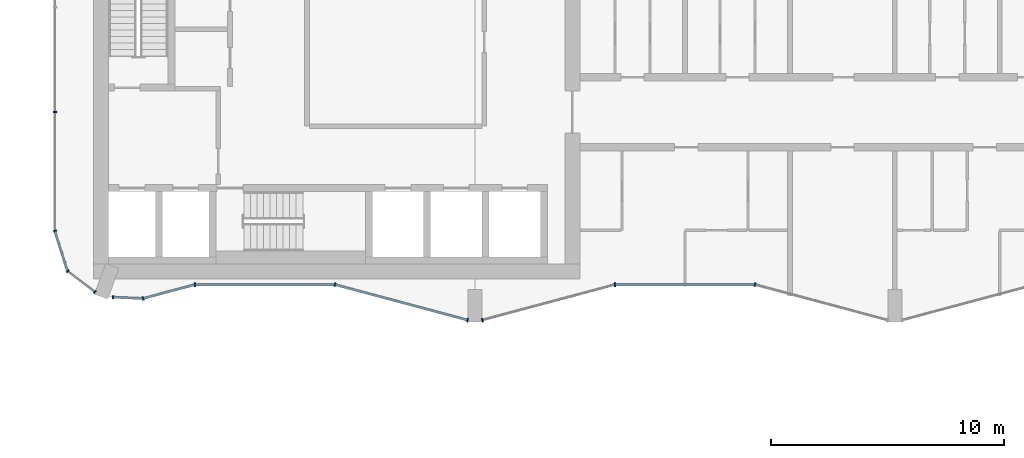
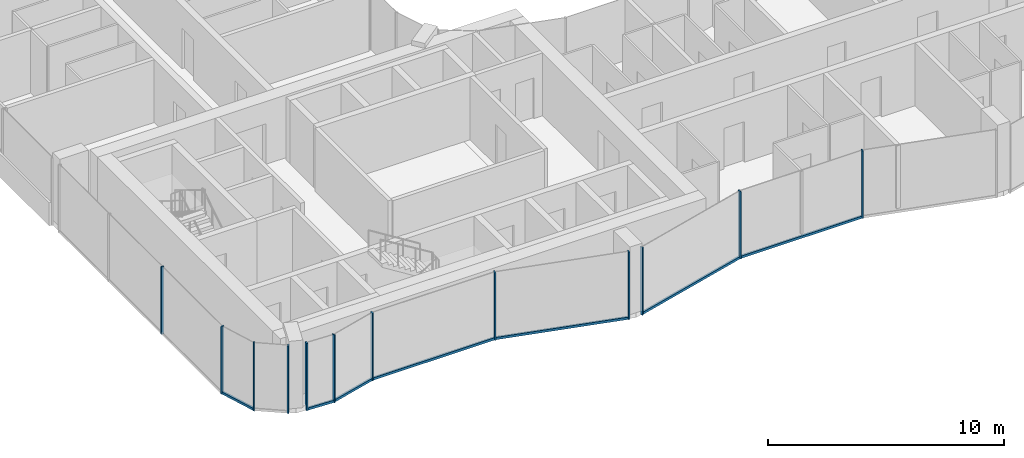
# One storey, part 2 of 22: 19 members, 10 elements without a shape of their own.
"""IFC4 building model written with IfcOpenShell, lengths in metres."""

from ifc_helpers import new_model, si_unit, direction, frame, origin, origin_2d, place, context, subcontext, project, spatial, rectangle, extrude, material, layer, layer_set, material_profile, profile_set, type_object, element, aggregate, save


model = new_model("IFC4")

# Units and contexts
model_context = context("Model", 3, precision=1e-05, world=origin(), true_north=direction((0.0, 1.0)))
body_context = subcontext(model_context, "Body", "Model", "MODEL_VIEW")
ifc_project = project(units=[si_unit("LENGTHUNIT", "METRE"), si_unit("AREAUNIT", "SQUARE_METRE"), si_unit("VOLUMEUNIT", "CUBIC_METRE"), si_unit("PLANEANGLEUNIT", "RADIAN"), si_unit("MASSUNIT", "GRAM", prefix="KILO")], contexts=[model_context])

# Site, building, storey
site_placement = place(None, origin())
site = spatial("IfcSite", under=ifc_project, at=site_placement, CompositionType="ELEMENT")
building_placement = place(site_placement, origin())
building = spatial("IfcBuilding", under=site, at=building_placement, Name="Plateau Cross Towers", CompositionType="ELEMENT")
storey_placement = place(building_placement, frame((0.0, 0.0, 106.300048828125)))
storey = spatial("IfcBuildingStorey", under=building, at=storey_placement, Name="L27", CompositionType="ELEMENT", Elevation=106.300048828125)

# Curtain wall, member
ifc_material_1 = material(Name="Dark low-iron glass", Category="glass")
ifc_layer_1 = layer(ifc_material_1, 0.239990234375)
ifc_layer_set_1 = layer_set([ifc_layer_1], Name="Dark low-iron glass")
curtain_wall_type_1 = type_object("IfcCurtainWallType", Name="Curtain wall flush unitised CW-B", PredefinedType="NOTDEFINED", material=ifc_layer_set_1)
curtain_wall_1_placement = place(storey_placement, origin())
curtain_wall_1 = element("IfcCurtainWall", 1, at=curtain_wall_1_placement, inside=storey, type_object=curtain_wall_type_1, Name="ENV/A/L27/A0_177", PredefinedType="NOTDEFINED")
ifc_material_2 = material(Name="Black anodised aluminium", Category="aluminium")
ifc_material_profile_1 = material_profile(ifc_material_2, rectangle(XDim=0.06005859375, YDim=0.139892578125, at=origin_2d()), Name="MULLION 60x140")
ifc_profile_set_1 = profile_set([ifc_material_profile_1], Name="Black anodised aluminium")
member_type_1 = type_object("IfcMemberType", Name="Mullion 60x140 flush unitised", PredefinedType="MULLION", material=ifc_profile_set_1)
member_1_placement = place(storey_placement, frame((0.0, 9.0, -0.25), z_axis=(0.0, 0.0, 1.0), x_axis=(0.0, -1.0, 0.0)))
member_1 = element("IfcMember", 2, at=member_1_placement, type_object=member_type_1, Name="CW-B mullion 3", PredefinedType="MULLION", context=body_context, shape_type="SweptSolid", body=[
    extrude(rectangle(XDim=0.06005859375, YDim=0.139892578125, at=origin_2d()), origin(), (0.0, 0.0, 1.0), 3.5),
])
aggregate(curtain_wall_1, [member_1])

curtain_wall_2_placement = place(storey_placement, origin())
curtain_wall_2 = element("IfcCurtainWall", 3, at=curtain_wall_2_placement, inside=storey, type_object=curtain_wall_type_1, Name="ENV/A/L27/A0_39", PredefinedType="NOTDEFINED")
member_2_placement = place(storey_placement, frame((0.0, 3.9091796875, -0.25), z_axis=(0.0, 0.0, 1.0), x_axis=(0.300686174994, -0.95372313811, 0.0)))
member_2 = element("IfcMember", 4, at=member_2_placement, type_object=member_type_1, Name="CW-B mullion 1", PredefinedType="MULLION", context=body_context, shape_type="SweptSolid", body=[
    extrude(rectangle(XDim=0.06005859375, YDim=0.139892578125, at=origin_2d()), origin(), (0.0, 0.0, 1.0), 3.5),
])

# Curtain wall, members
curtain_wall_3_placement = place(storey_placement, origin())
curtain_wall_3 = element("IfcCurtainWall", 5, at=curtain_wall_3_placement, inside=storey, type_object=curtain_wall_type_1, Name="ENV/A/L27/A5_22", PredefinedType="NOTDEFINED")
member_3_placement = place(storey_placement, frame((0.54248046875, 2.1884765625, -0.25), z_axis=(0.0, 0.0, 1.0), x_axis=(0.793315514529, -0.608810721331, 0.0)))
member_3 = element("IfcMember", 6, at=member_3_placement, type_object=member_type_1, Name="CW-B mullion 1", PredefinedType="MULLION", context=body_context, shape_type="SweptSolid", body=[
    extrude(rectangle(XDim=0.06005859375, YDim=0.139892578125, at=origin_2d()), origin(), (0.0, 0.0, 1.0), 3.5),
])
member_4_placement = place(storey_placement, frame((1.709716796875, 1.292724609375, -0.25), z_axis=(0.0, 0.0, 1.0), x_axis=(0.793315514529, -0.608810721331, 0.0)))
member_4 = element("IfcMember", 7, at=member_4_placement, type_object=member_type_1, Name="CW-B mullion 2", PredefinedType="MULLION", context=body_context, shape_type="SweptSolid", body=[
    extrude(rectangle(XDim=0.06005859375, YDim=0.139892578125, at=origin_2d()), origin(), (0.0, 0.0, 1.0), 3.5),
])
aggregate(curtain_wall_3, [member_3, member_4])

# Curtain wall, member
curtain_wall_4_placement = place(storey_placement, origin())
curtain_wall_4 = element("IfcCurtainWall", 8, at=curtain_wall_4_placement, inside=storey, type_object=curtain_wall_type_1, Name="ENV/A/L27/A25_11", PredefinedType="NOTDEFINED")
member_5_placement = place(storey_placement, frame((2.483642578125, 1.06787109375, -0.25), z_axis=(0.0, 0.0, 1.0), x_axis=(0.999043701491, -0.043722791671, 0.0)))
member_5 = element("IfcMember", 9, at=member_5_placement, type_object=member_type_1, Name="CW-B mullion 1", PredefinedType="MULLION", context=body_context, shape_type="SweptSolid", body=[
    extrude(rectangle(XDim=0.06005859375, YDim=0.139892578125, at=origin_2d()), origin(), (0.0, 0.0, 1.0), 3.5),
])

ifc_layer_2 = layer(ifc_material_1, 0.260009765625)
ifc_layer_set_2 = layer_set([ifc_layer_2], Name="Dark low-iron glass")
curtain_wall_type_2 = type_object("IfcCurtainWallType", Name="Curtain wall fluted unitised CW-A", PredefinedType="NOTDEFINED", material=ifc_layer_set_2)
curtain_wall_5_placement = place(storey_placement, origin())
curtain_wall_5 = element("IfcCurtainWall", 10, at=curtain_wall_5_placement, inside=storey, type_object=curtain_wall_type_2, Name="ENV/A/L27/A38_10", PredefinedType="NOTDEFINED")
ifc_material_profile_2 = material_profile(ifc_material_2, rectangle(XDim=0.06005859375, YDim=0.159912109375, at=origin_2d()), Name="MULLION 60x160")
ifc_profile_set_2 = profile_set([ifc_material_profile_2], Name="Black anodised aluminium")
member_type_2 = type_object("IfcMemberType", Name="Mullion 60x160 fluted unitised", PredefinedType="MULLION", material=ifc_profile_set_2)
member_6_placement = place(storey_placement, frame((3.776123046875, 1.01123046875, -0.25), z_axis=(0.0, 0.0, 1.0), x_axis=(0.965957962328, 0.258699081978, 0.0)))
member_6 = element("IfcMember", 11, at=member_6_placement, type_object=member_type_2, Name="CW-A mullion 1", PredefinedType="MULLION", context=body_context, shape_type="SweptSolid", body=[
    extrude(rectangle(XDim=0.06005859375, YDim=0.159912109375, at=origin_2d()), origin(), (0.0, 0.0, 1.0), 3.5),
])

curtain_wall_6_placement = place(storey_placement, origin())
curtain_wall_6 = element("IfcCurtainWall", 12, at=curtain_wall_6_placement, inside=storey, type_object=curtain_wall_type_2, Name="ENV/A/L27/A60_16", PredefinedType="NOTDEFINED")
member_7_placement = place(storey_placement, frame((6.0, 1.60693359375, -0.25), z_axis=(0.0, 0.0, 1.0), x_axis=(1.0, 0.0, 0.0)))
member_7 = element("IfcMember", 13, at=member_7_placement, type_object=member_type_2, Name="CW-A mullion 1", PredefinedType="MULLION", context=body_context, shape_type="SweptSolid", body=[
    extrude(rectangle(XDim=0.06005859375, YDim=0.159912109375, at=origin_2d()), origin(), (0.0, 0.0, 1.0), 3.5),
])

# Curtain wall, members
curtain_wall_7_placement = place(storey_placement, origin())
curtain_wall_7 = element("IfcCurtainWall", 14, at=curtain_wall_7_placement, inside=storey, type_object=curtain_wall_type_2, Name="ENV/A/L27/A120_16", PredefinedType="NOTDEFINED")
member_8_placement = place(storey_placement, frame((12.0, 1.60693359375, -0.25), z_axis=(0.0, 0.0, 1.0), x_axis=(0.965957983404, -0.258699003279, 0.0)))
member_8 = element("IfcMember", 15, at=member_8_placement, type_object=member_type_2, Name="CW-A mullion 1", PredefinedType="MULLION", context=body_context, shape_type="SweptSolid", body=[
    extrude(rectangle(XDim=0.06005859375, YDim=0.159912109375, at=origin_2d()), origin(), (0.0, 0.0, 1.0), 3.5),
])
member_9_placement = place(storey_placement, frame((17.68212890625, 0.085205078125, -0.25), z_axis=(0.0, 0.0, 1.0), x_axis=(0.965957983404, -0.258699003279, 0.0)))
member_9 = element("IfcMember", 16, at=member_9_placement, type_object=member_type_2, Name="CW-A mullion 2", PredefinedType="MULLION", context=body_context, shape_type="SweptSolid", body=[
    extrude(rectangle(XDim=0.06005859375, YDim=0.159912109375, at=origin_2d()), origin(), (0.0, 0.0, 1.0), 3.5),
])

# Curtain wall, member
curtain_wall_8_placement = place(storey_placement, origin())
curtain_wall_8 = element("IfcCurtainWall", 17, at=curtain_wall_8_placement, inside=storey, type_object=curtain_wall_type_2, Name="ENV/A/L27/A183_1", PredefinedType="NOTDEFINED")
member_10_placement = place(storey_placement, frame((18.31787109375, 0.085205078125, -0.25), z_axis=(0.0, 0.0, 1.0), x_axis=(0.965957983404, 0.258699003279, 0.0)))
member_10 = element("IfcMember", 18, at=member_10_placement, type_object=member_type_2, Name="CW-A mullion 1", PredefinedType="MULLION", context=body_context, shape_type="SweptSolid", body=[
    extrude(rectangle(XDim=0.06005859375, YDim=0.159912109375, at=origin_2d()), origin(), (0.0, 0.0, 1.0), 3.5),
])

curtain_wall_9_placement = place(storey_placement, origin())
curtain_wall_9 = element("IfcCurtainWall", 19, at=curtain_wall_9_placement, inside=storey, type_object=curtain_wall_type_2, Name="ENV/A/L27/A240_16", PredefinedType="NOTDEFINED")
member_11_placement = place(storey_placement, frame((24.0, 1.60693359375, -0.25), z_axis=(0.0, 0.0, 1.0), x_axis=(1.0, 0.0, 0.0)))
member_11 = element("IfcMember", 20, at=member_11_placement, type_object=member_type_2, Name="CW-A mullion 1", PredefinedType="MULLION", context=body_context, shape_type="SweptSolid", body=[
    extrude(rectangle(XDim=0.06005859375, YDim=0.159912109375, at=origin_2d()), origin(), (0.0, 0.0, 1.0), 3.5),
])

curtain_wall_10_placement = place(storey_placement, origin())
curtain_wall_10 = element("IfcCurtainWall", 21, at=curtain_wall_10_placement, inside=storey, type_object=curtain_wall_type_2, Name="ENV/A/L27/A300_16", PredefinedType="NOTDEFINED")
member_12_placement = place(storey_placement, frame((30.0, 1.60693359375, -0.25), z_axis=(0.0, 0.0, 1.0), x_axis=(0.965957983404, -0.258699003279, 0.0)))
member_12 = element("IfcMember", 22, at=member_12_placement, type_object=member_type_2, Name="CW-A mullion 1", PredefinedType="MULLION", context=body_context, shape_type="SweptSolid", body=[
    extrude(rectangle(XDim=0.06005859375, YDim=0.159912109375, at=origin_2d()), origin(), (0.0, 0.0, 1.0), 3.5),
])
aggregate(curtain_wall_10, [member_12])

# Member
ifc_material_profile_3 = material_profile(ifc_material_2, rectangle(XDim=0.10009765625, YDim=0.1201171875, at=origin_2d()), Name="TRANSOM 100x120")
ifc_profile_set_3 = profile_set([ifc_material_profile_3], Name="Black anodised aluminium")
member_type_3 = type_object("IfcMemberType", Name="Transom 100x120 flush unitised", PredefinedType="USERDEFINED", material=ifc_profile_set_3)
member_13_placement = place(storey_placement, frame((0.0, 3.9091796875, -0.18994140625), z_axis=(0.30067799945, -0.953725715626, 0.0), x_axis=(0.953725715626, 0.30067799945, 0.0)))
member_13 = element("IfcMember", 23, at=member_13_placement, type_object=member_type_3, Name="CW-B transom", ObjectType="TRANSOM", PredefinedType="USERDEFINED", context=body_context, shape_type="SweptSolid", body=[
    extrude(rectangle(XDim=0.10009765625, YDim=0.1201171875, at=origin_2d()), origin(), (0.0, 0.0, 1.0), 1.80419921875),
])

aggregate(curtain_wall_2, [member_2, member_13])

member_14_placement = place(storey_placement, frame((2.483642578125, 1.06787109375, -0.18994140625), z_axis=(0.999041144614, -0.043781175963, 0.0), x_axis=(0.043781175963, 0.999041144614, 0.0)))
member_14 = element("IfcMember", 24, at=member_14_placement, type_object=member_type_3, Name="CW-B transom", ObjectType="TRANSOM", PredefinedType="USERDEFINED", context=body_context, shape_type="SweptSolid", body=[
    extrude(rectangle(XDim=0.10009765625, YDim=0.1201171875, at=origin_2d()), origin(), (0.0, 0.0, 1.0), 1.293701171875),
])

aggregate(curtain_wall_4, [member_5, member_14])

ifc_material_profile_4 = material_profile(ifc_material_2, rectangle(XDim=0.10009765625, YDim=0.1201171875, at=origin_2d()), Name="TRANSOM 100x120")
ifc_profile_set_4 = profile_set([ifc_material_profile_4], Name="Black anodised aluminium")
member_type_4 = type_object("IfcMemberType", Name="Transom 100x120 fluted unitised", PredefinedType="USERDEFINED", material=ifc_profile_set_4)
member_15_placement = place(storey_placement, frame((3.776123046875, 1.01123046875, -0.18994140625), z_axis=(0.965945685136, 0.258744919501, 0.0), x_axis=(-0.258744919501, 0.965945685136, 0.0)))
member_15 = element("IfcMember", 25, at=member_15_placement, type_object=member_type_4, Name="CW-A transom", ObjectType="TRANSOM", PredefinedType="USERDEFINED", context=body_context, shape_type="SweptSolid", body=[
    extrude(rectangle(XDim=0.10009765625, YDim=0.1201171875, at=origin_2d()), origin(), (0.0, 0.0, 1.0), 2.30224609375),
])

aggregate(curtain_wall_5, [member_6, member_15])

member_16_placement = place(storey_placement, frame((6.0, 1.60693359375, -0.18994140625), z_axis=(1.0, 0.0, 0.0), x_axis=(0.0, 1.0, 0.0)))
member_16 = element("IfcMember", 26, at=member_16_placement, type_object=member_type_4, Name="CW-A transom", ObjectType="TRANSOM", PredefinedType="USERDEFINED", context=body_context, shape_type="SweptSolid", body=[
    extrude(rectangle(XDim=0.10009765625, YDim=0.1201171875, at=origin_2d()), origin(), (0.0, 0.0, 1.0), 6.0),
])

aggregate(curtain_wall_6, [member_7, member_16])

member_17_placement = place(storey_placement, frame((12.0, 1.60693359375, -0.18994140625), z_axis=(0.965959534794, -0.258693210465, 0.0), x_axis=(0.258693210465, 0.965959534794, 0.0)))
member_17 = element("IfcMember", 27, at=member_17_placement, type_object=member_type_4, Name="CW-A transom", ObjectType="TRANSOM", PredefinedType="USERDEFINED", context=body_context, shape_type="SweptSolid", body=[
    extrude(rectangle(XDim=0.10009765625, YDim=0.1201171875, at=origin_2d()), origin(), (0.0, 0.0, 1.0), 5.88232421875),
])

aggregate(curtain_wall_7, [member_8, member_9, member_17])

member_18_placement = place(storey_placement, frame((18.31787109375, 0.085205078125, -0.18994140625), z_axis=(0.965959534794, 0.258693210465, 0.0), x_axis=(-0.258693210465, 0.965959534794, 0.0)))
member_18 = element("IfcMember", 28, at=member_18_placement, type_object=member_type_4, Name="CW-A transom", ObjectType="TRANSOM", PredefinedType="USERDEFINED", context=body_context, shape_type="SweptSolid", body=[
    extrude(rectangle(XDim=0.10009765625, YDim=0.1201171875, at=origin_2d()), origin(), (0.0, 0.0, 1.0), 5.88232421875),
])

aggregate(curtain_wall_8, [member_10, member_18])

member_19_placement = place(storey_placement, frame((24.0, 1.60693359375, -0.18994140625), z_axis=(1.0, 0.0, 0.0), x_axis=(0.0, 1.0, 0.0)))
member_19 = element("IfcMember", 29, at=member_19_placement, type_object=member_type_4, Name="CW-A transom", ObjectType="TRANSOM", PredefinedType="USERDEFINED", context=body_context, shape_type="SweptSolid", body=[
    extrude(rectangle(XDim=0.10009765625, YDim=0.1201171875, at=origin_2d()), origin(), (0.0, 0.0, 1.0), 6.0),
])

aggregate(curtain_wall_9, [member_11, member_19])

save(model, "model.ifc")
